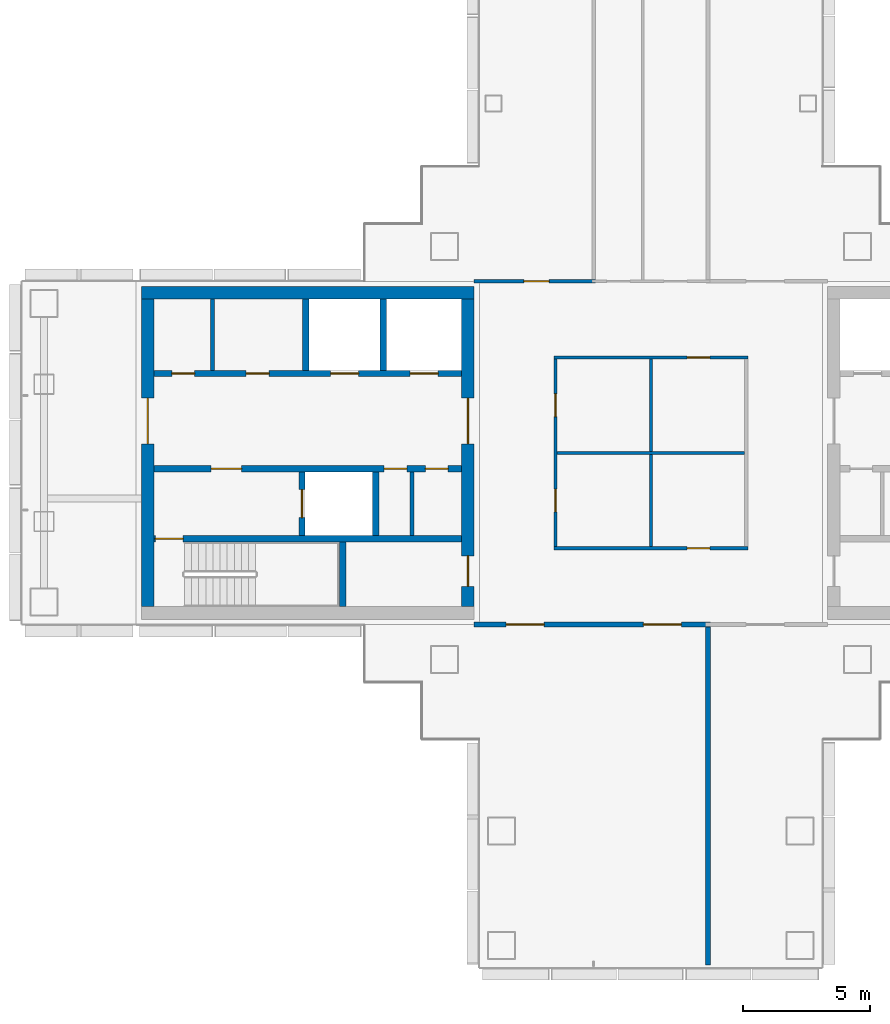
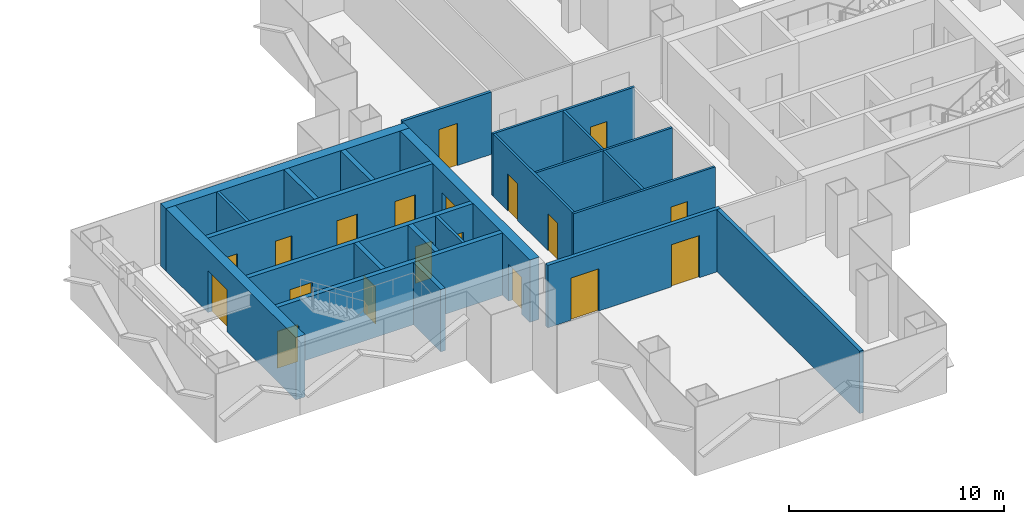
# One storey, part 11 of 16: 21 walls, 19 doors, 19 openings.
"""IFC4 building model written with IfcOpenShell, lengths in metres."""

import ifcopenshell
import ifcopenshell.guid

model = None  # the IFC model being written
_history = None  # IfcOwnerHistory: only IFC2X3 demands one
_inside = {}  # id of a spatial element -> (the spatial element, [elements in it])
_under = {}  # id of a project, library or spatial element -> (it, [spatial elements below it])
_declared = {}  # id of a project -> (the project, [libraries it declares])
_typed = {}  # id of a type object -> (the type object, [elements of that type])
_made_of = {}  # id of a material, layer set ... -> (it, [elements and type objects made of it])


def new_model(schema):
    """Start an empty IFC model of exactly this schema.

    Asked for "IFC4X3", IfcOpenShell would pick the latest addendum, in which some entities
    have other attributes; the version numbers below select the first issue.
    IFC2X3 requires an IfcOwnerHistory on every rooted entity: one is made here for all.
    """
    global model, _history
    if schema == "IFC4X3":
        model = ifcopenshell.file(schema_version=(4, 3, 0, 0))
    else:
        model = ifcopenshell.file(schema=schema)
    _inside.clear()
    _under.clear()
    _declared.clear()
    _typed.clear()
    _made_of.clear()
    _history = None
    if model.schema == "IFC2X3":
        org = make("IfcOrganization", Name="unknown")
        user = make(
            "IfcPersonAndOrganization",
            ThePerson=make("IfcPerson", FamilyName="unknown"),
            TheOrganization=org,
        )
        app = make(
            "IfcApplication",
            ApplicationDeveloper=org,
            Version="unknown",
            ApplicationFullName="unknown",
            ApplicationIdentifier="unknown",
        )
        _history = make(
            "IfcOwnerHistory",
            OwningUser=user,
            OwningApplication=app,
            ChangeAction="ADDED",
            CreationDate=0,
        )
    return model


def make(cls, **values):
    """One entity of the class cls with the attributes given. An attribute that is None is left unset."""
    return model.create_entity(
        cls, **{name: value for name, value in values.items() if value is not None}
    )


def rooted(cls, **values):
    """An entity with a GlobalId (a new one), such as an element, a storey or a relation."""
    return make(cls, GlobalId=ifcopenshell.guid.new(), OwnerHistory=_history, **values)


def si_unit(unit_type, name, prefix=None):
    """IfcSIUnit, for example si_unit("LENGTHUNIT", "METRE", prefix="MILLI")."""
    return make("IfcSIUnit", UnitType=unit_type, Prefix=prefix, Name=name)


def assignment(units):
    """IfcUnitAssignment: the units of a project."""
    return None if units is None else make("IfcUnitAssignment", Units=units)


def point(xyz):
    """IfcCartesianPoint."""
    return None if xyz is None else make("IfcCartesianPoint", Coordinates=xyz)


def direction(xyz):
    """IfcDirection."""
    return None if xyz is None else make("IfcDirection", DirectionRatios=xyz)


def frame(location, z_axis=None, x_axis=None):
    """IfcAxis2Placement3D, a coordinate frame: its origin and axes. An axis left out is left unset."""
    return make(
        "IfcAxis2Placement3D",
        Location=point(location),
        Axis=direction(z_axis),
        RefDirection=direction(x_axis),
    )


def frame_2d(location, x_axis=None):
    """IfcAxis2Placement2D, a coordinate frame in the plane: its origin and x axis."""
    return make(
        "IfcAxis2Placement2D", Location=point(location), RefDirection=direction(x_axis)
    )


def origin():
    """The frame at (0, 0, 0) with its axes left unset."""
    return frame((0.0, 0.0, 0.0))


def place(relative_to, where):
    """IfcLocalPlacement: puts the frame where relative to a parent placement (None: the world)."""
    return make(
        "IfcLocalPlacement", PlacementRelTo=relative_to, RelativePlacement=where
    )


def context(
    kind, dimensions, precision=None, world=None, true_north=None, identifier=None
):
    """IfcGeometricRepresentationContext, for example the 3D "Model" context."""
    return make(
        "IfcGeometricRepresentationContext",
        ContextIdentifier=identifier,
        ContextType=kind,
        CoordinateSpaceDimension=dimensions,
        Precision=precision,
        WorldCoordinateSystem=world,
        TrueNorth=true_north,
    )


def subcontext(parent, identifier, kind, view, scale=None):
    """IfcGeometricRepresentationSubContext, for example "Body" below "Model"."""
    return make(
        "IfcGeometricRepresentationSubContext",
        ContextIdentifier=identifier,
        ContextType=kind,
        ParentContext=parent,
        TargetScale=scale,
        TargetView=view,
    )


def project(units=None, contexts=None):
    """IfcProject with its units and contexts."""
    return rooted(
        "IfcProject",
        Name="project",
        RepresentationContexts=contexts,
        UnitsInContext=assignment(units),
    )


def spatial(cls, under=None, at=None, **own):
    """A site, building, storey or space (cls), placed at a placement, below another one or the project."""
    s = rooted(cls, ObjectPlacement=at, **own)
    if under is not None:
        _under.setdefault(under.id(), (under, []))[1].append(s)
    return s


def profile(cls, at=None, kind="AREA", **sizes):
    """A parametric profile (cls). Its sizes go by their IFC names, for example OverallWidth=200.0."""
    return make(cls, ProfileType=kind, Position=at, **sizes)


def rectangle(**sizes):
    """IfcRectangleProfileDef."""
    return profile("IfcRectangleProfileDef", **sizes)


def extrude(swept, where, along, depth):
    """IfcExtrudedAreaSolid: the profile swept, set in the frame where, extruded along a direction by depth."""
    return make(
        "IfcExtrudedAreaSolid",
        SweptArea=swept,
        Position=where,
        ExtrudedDirection=direction(along),
        Depth=depth,
    )


def shape(context_of_items, identifier, shape_type, items):
    """IfcShapeRepresentation: the items that make up one representation, for example the "Body"."""
    return make(
        "IfcShapeRepresentation",
        ContextOfItems=context_of_items,
        RepresentationIdentifier=identifier,
        RepresentationType=shape_type,
        Items=items,
    )


def material(Name=None, Category=None):
    """IfcMaterial."""
    return make("IfcMaterial", Name=Name, Category=Category)


def layer(
    of_material, thickness, ventilated=None, Name=None, Category=None, Priority=None
):
    """IfcMaterialLayer: one layer of a wall or slab, of a material (None: an air gap)."""
    return make(
        "IfcMaterialLayer",
        Material=of_material,
        LayerThickness=thickness,
        IsVentilated=ventilated,
        Name=Name,
        Category=Category,
        Priority=Priority,
    )


def layer_set(layers, Name=None):
    """IfcMaterialLayerSet."""
    return make("IfcMaterialLayerSet", MaterialLayers=layers, LayerSetName=Name)


def made_of(thing, what):
    """Note that an element or type object is made of a material, layer set ...; save() writes the relation."""
    if what is not None:
        _made_of.setdefault(what.id(), (what, []))[1].append(thing)
    return thing


def type_object(cls, material=None, **own):
    """A type object (cls), such as IfcWallType, which elements share."""
    return made_of(rooted(cls, **own), material)


def element(
    cls,
    number,
    at=None,
    inside=None,
    cuts=None,
    type_object=None,
    material=None,
    context=None,
    identifier="Body",
    shape_type=None,
    held_by="IfcProductDefinitionShape",
    body=None,
    shapes=None,
    **own,
):
    """One element of the class cls, such as IfcWall. Its Tag is "e" and its number.

    at: its placement. inside: the storey or other place that contains it. cuts: it is an
    opening in that element (IfcRelVoidsElement). A single representation is given by context,
    identifier, shape_type and body (its items); several are given by shapes. held_by: the class
    of the entity that holds the representations. save() writes the other relations.
    """
    e = rooted(cls, Tag="e%d" % number, ObjectPlacement=at, **own)
    if body is not None:
        shapes = [shape(context, identifier, shape_type, body)]
    if shapes is not None:
        e.Representation = make(held_by, Representations=shapes)
    if inside is not None:
        _inside.setdefault(inside.id(), (inside, []))[1].append(e)
    if cuts is not None:
        rooted(
            "IfcRelVoidsElement", RelatingBuildingElement=cuts, RelatedOpeningElement=e
        )
    if type_object is not None:
        _typed.setdefault(type_object.id(), (type_object, []))[1].append(e)
    return made_of(e, material)


def fill(opening, filler):
    """IfcRelFillsElement: the door or window that sits in an opening."""
    return rooted(
        "IfcRelFillsElement",
        RelatingOpeningElement=opening,
        RelatedBuildingElement=filler,
    )


def aggregate(whole, parts):
    """IfcRelAggregates: a whole, such as a stair, and the parts it consists of."""
    return rooted("IfcRelAggregates", RelatingObject=whole, RelatedObjects=parts)


def save(model, path):
    """Write the relations noted so far, then the file.

    IfcRelAggregates (storeys below a building ...), IfcRelContainedInSpatialStructure (elements
    in a storey), IfcRelDefinesByType, IfcRelAssociatesMaterial and IfcRelDeclares: one each for
    every whole, place, type object, material and project.
    """
    for whole, parts in _under.values():
        aggregate(whole, parts)
    for where, things in _inside.values():
        rooted(
            "IfcRelContainedInSpatialStructure",
            RelatedElements=things,
            RelatingStructure=where,
        )
    for kind, things in _typed.values():
        rooted("IfcRelDefinesByType", RelatedObjects=things, RelatingType=kind)
    for what, things in _made_of.values():
        rooted("IfcRelAssociatesMaterial", RelatedObjects=things, RelatingMaterial=what)
    for by, libraries in _declared.values():
        rooted("IfcRelDeclares", RelatingContext=by, RelatedDefinitions=libraries)
    model.write(path)


model = new_model("IFC4")

# Units and contexts
model_context = context("Model", 3, precision=1e-05, world=origin(), true_north=direction((0.0, 1.0)))
body_context = subcontext(model_context, "Body", "Model", "MODEL_VIEW")
ifc_project = project(units=[si_unit("LENGTHUNIT", "METRE"), si_unit("AREAUNIT", "SQUARE_METRE"), si_unit("VOLUMEUNIT", "CUBIC_METRE"), si_unit("PLANEANGLEUNIT", "RADIAN"), si_unit("MASSUNIT", "GRAM", prefix="KILO")], contexts=[model_context])

# Site, building, storey
site_placement = place(None, origin())
site = spatial("IfcSite", under=ifc_project, at=site_placement, CompositionType="ELEMENT")
building_placement = place(site_placement, origin())
building = spatial("IfcBuilding", under=site, at=building_placement, Name="Shamsa Quay Exchange Towers", CompositionType="ELEMENT")
storey_placement = place(building_placement, frame((0.0, 0.0, 146.699951171875)))
storey = spatial("IfcBuildingStorey", under=building, at=storey_placement, Name="L34", CompositionType="ELEMENT", Elevation=146.699951171875)

# Wall, openings, doors
ifc_material_1 = material(Name="Double-leaf gypsum board partition with acoustic insulation")
ifc_layer_1 = layer(ifc_material_1, 0.199951171875)
ifc_layer_set_1 = layer_set([ifc_layer_1], Name="Acoustic partition 200 mm EI 60")
wall_type_1 = type_object("IfcWallType", Name="Acoustic partition 200 mm EI 60", PredefinedType="PARTITIONING", material=ifc_layer_set_1)
wall_1_placement = place(storey_placement, frame((26.800048828125, -6.75, 0.0)))
wall_1 = element("IfcWall", 1, at=wall_1_placement, inside=storey, type_object=wall_type_1, Name="Partition T2-R16-W09", PredefinedType="PARTITIONING", context=body_context, shape_type="SweptSolid", body=[
    extrude(rectangle(XDim=9.300048828125, YDim=0.199951171875, at=frame_2d((4.64990234375, 0.0))), origin(), (0.0, 0.0, 1.0), 3.550048828125),
])
opening_1_placement = place(wall_1_placement, frame((6.64990234375, 0.0, 0.0)))
opening_1 = element("IfcOpeningElement", 2, at=opening_1_placement, cuts=wall_1, Name="Opening T2-R16-D03", PredefinedType="OPENING", context=body_context, shape_type="SweptSolid", body=[
    extrude(rectangle(XDim=1.5, YDim=2.39990234375, at=frame_2d((0.75, 1.199951171875))), frame((0.0, 0.10986328125, 0.0), z_axis=(0.0, -1.0, 0.0), x_axis=(1.0, 0.0, 0.0)), (0.0, 0.0, 1.0), 0.219970703125),
])
opening_2_placement = place(wall_1_placement, frame((1.25, 0.0, 0.0)))
opening_2 = element("IfcOpeningElement", 3, at=opening_2_placement, cuts=wall_1, Name="Opening T2-R16-D05", PredefinedType="OPENING", context=body_context, shape_type="SweptSolid", body=[
    extrude(rectangle(XDim=1.5, YDim=2.39990234375, at=frame_2d((0.75, 1.199951171875))), frame((0.0, 0.10986328125, 0.0), z_axis=(0.0, -1.0, 0.0), x_axis=(1.0, 0.0, 0.0)), (0.0, 0.0, 1.0), 0.219970703125),
])
ifc_material_2 = material(Name="Timber door leaf in a metal frame", Category="wood")
door_type_1 = type_object("IfcDoorType", Name="Door 1500x2400 FD30S pair", OperationType="NOTDEFINED", PredefinedType="DOOR", material=ifc_material_2)
door_1_placement = place(opening_1_placement, origin())
door_1 = element("IfcDoor", 4, at=door_1_placement, inside=storey, type_object=door_type_1, Name="Door T2-R16-D03", OperationType="DOUBLE_DOOR_SINGLE_SWING", OverallHeight=2.39990234375, OverallWidth=1.5, PredefinedType="DOOR", context=body_context, shape_type="SweptSolid", body=[
    extrude(rectangle(XDim=1.5, YDim=2.39990234375, at=frame_2d((0.75, 1.199951171875))), frame((0.0, 0.02490234375, 0.0), z_axis=(0.0, -1.0, 0.0), x_axis=(1.0, 0.0, 0.0)), (0.0, 0.0, 1.0), 0.050048828125),
])
fill(opening_1, door_1)
door_2_placement = place(opening_2_placement, origin())
door_2 = element("IfcDoor", 5, at=door_2_placement, inside=storey, type_object=door_type_1, Name="Door T2-R16-D05", OperationType="DOUBLE_DOOR_SINGLE_SWING", OverallHeight=2.39990234375, OverallWidth=1.5, PredefinedType="DOOR", context=body_context, shape_type="SweptSolid", body=[
    extrude(rectangle(XDim=1.5, YDim=2.39990234375, at=frame_2d((0.75, 1.199951171875))), frame((0.0, 0.02490234375, 0.0), z_axis=(0.0, -1.0, 0.0), x_axis=(1.0, 0.0, 0.0)), (0.0, 0.0, 1.0), 0.050048828125),
])
fill(opening_2, door_2)

# Walls
wall_2_placement = place(storey_placement, frame((36.0, -6.85009765625, 0.0), z_axis=(0.0, 0.0, 1.0), x_axis=(0.0, -1.0, 0.0)))
element("IfcWall", 6, at=wall_2_placement, inside=storey, type_object=wall_type_1, Name="Partition T2-R16-W15", PredefinedType="PARTITIONING", context=body_context, shape_type="SweptSolid", body=[
    extrude(rectangle(XDim=13.304931640625, YDim=0.199951171875, at=frame_2d((6.65234375, 0.0))), origin(), (0.0, 0.0, 1.0), 3.550048828125),
])
ifc_material_3 = material(Name="Concrete C60/75", Category="concrete")
ifc_layer_2 = layer(ifc_material_3, 0.5)
ifc_layer_set_2 = layer_set([ifc_layer_2], Name="CORE WALL 500 C60/75")
wall_type_2 = type_object("IfcWallType", Name="CORE WALL 500 C60/75", PredefinedType="SHEAR", material=ifc_layer_set_2)
wall_3_placement = place(storey_placement, frame((13.699951171875, 6.300048828125, 0.0)))
element("IfcWall", 7, at=wall_3_placement, inside=storey, type_object=wall_type_2, Name="Core wall T2A-R16-PN", PredefinedType="SHEAR", context=body_context, shape_type="SweptSolid", body=[
    extrude(rectangle(XDim=13.10009765625, YDim=0.5, at=frame_2d((6.550048828125, 0.0))), origin(), (0.0, 0.0, 1.0), 3.550048828125),
])

# Wall, opening, door
wall_4_placement = place(storey_placement, frame((13.949951171875, 6.050048828125, 0.0), z_axis=(0.0, 0.0, 1.0), x_axis=(0.0, -1.0, 0.0)))
wall_4 = element("IfcWall", 8, at=wall_4_placement, inside=storey, type_object=wall_type_2, Name="Core wall T2A-R16-PF", PredefinedType="SHEAR", context=body_context, shape_type="SweptSolid", body=[
    extrude(rectangle(XDim=12.10009765625, YDim=0.5, at=frame_2d((6.050048828125, 0.0))), origin(), (0.0, 0.0, 1.0), 3.550048828125),
])
opening_3_placement = place(wall_4_placement, frame((3.89990234375, 0.0, 0.0)))
opening_3 = element("IfcOpeningElement", 9, at=opening_3_placement, cuts=wall_4, Name="Opening T2A-R16-LBD01", PredefinedType="OPENING", context=body_context, shape_type="SweptSolid", body=[
    extrude(rectangle(XDim=1.800048828125, YDim=2.39990234375, at=frame_2d((0.89990234375, 1.199951171875))), frame((0.0, 0.260009765625, 0.0), z_axis=(0.0, -1.0, 0.0), x_axis=(1.0, 0.0, 0.0)), (0.0, 0.0, 1.0), 0.52001953125),
])
ifc_material_4 = material(Name="Steel, fire rated", Category="steel")
door_type_2 = type_object("IfcDoorType", Name="LIFT LOBBY DOOR PAIR 1800", OperationType="DOUBLE_DOOR_SINGLE_SWING", PredefinedType="DOOR", material=ifc_material_4)
door_3_placement = place(opening_3_placement, origin())
door_3 = element("IfcDoor", 10, at=door_3_placement, inside=storey, type_object=door_type_2, Name="T2A-R16-LBD01", OperationType="DOUBLE_DOOR_SINGLE_SWING", OverallHeight=2.39990234375, OverallWidth=1.800048828125, PredefinedType="DOOR", context=body_context, shape_type="SweptSolid", body=[
    extrude(rectangle(XDim=1.800048828125, YDim=2.39990234375, at=frame_2d((0.89990234375, 1.199951171875))), frame((0.0, 0.02490234375, 0.0), z_axis=(0.0, -1.0, 0.0), x_axis=(1.0, 0.0, 0.0)), (0.0, 0.0, 1.0), 0.050048828125),
])
fill(opening_3, door_3)

# Wall, openings, doors
wall_5_placement = place(storey_placement, frame((26.550048828125, 6.050048828125, 0.0), z_axis=(0.0, 0.0, 1.0), x_axis=(0.0, -1.0, 0.0)))
wall_5 = element("IfcWall", 11, at=wall_5_placement, inside=storey, type_object=wall_type_2, Name="Core wall T2A-R16-PB", PredefinedType="SHEAR", context=body_context, shape_type="SweptSolid", body=[
    extrude(rectangle(XDim=12.10009765625, YDim=0.5, at=frame_2d((6.050048828125, 0.0))), origin(), (0.0, 0.0, 1.0), 3.550048828125),
])
opening_4_placement = place(wall_5_placement, frame((10.10009765625, 0.0, 0.0)))
opening_4 = element("IfcOpeningElement", 12, at=opening_4_placement, cuts=wall_5, Name="Opening T2A-R16-RD02", PredefinedType="OPENING", context=body_context, shape_type="SweptSolid", body=[
    extrude(rectangle(XDim=1.199951171875, YDim=2.10009765625, at=frame_2d((0.60009765625, 1.050048828125))), frame((0.0, 0.260009765625, 0.0), z_axis=(0.0, -1.0, 0.0), x_axis=(1.0, 0.0, 0.0)), (0.0, 0.0, 1.0), 0.52001953125),
])
opening_5_placement = place(wall_5_placement, frame((3.89990234375, 0.0, 0.0)))
opening_5 = element("IfcOpeningElement", 13, at=opening_5_placement, cuts=wall_5, Name="Opening T2A-R16-LBD03", PredefinedType="OPENING", context=body_context, shape_type="SweptSolid", body=[
    extrude(rectangle(XDim=1.800048828125, YDim=2.39990234375, at=frame_2d((0.89990234375, 1.199951171875))), frame((0.0, 0.260009765625, 0.0), z_axis=(0.0, -1.0, 0.0), x_axis=(1.0, 0.0, 0.0)), (0.0, 0.0, 1.0), 0.52001953125),
])
door_4_placement = place(opening_5_placement, origin())
door_4 = element("IfcDoor", 14, at=door_4_placement, inside=storey, type_object=door_type_2, Name="T2A-R16-LBD03", OperationType="DOUBLE_DOOR_SINGLE_SWING", OverallHeight=2.39990234375, OverallWidth=1.800048828125, PredefinedType="DOOR", context=body_context, shape_type="SweptSolid", body=[
    extrude(rectangle(XDim=1.800048828125, YDim=2.39990234375, at=frame_2d((0.89990234375, 1.199951171875))), frame((0.0, 0.02490234375, 0.0), z_axis=(0.0, -1.0, 0.0), x_axis=(1.0, 0.0, 0.0)), (0.0, 0.0, 1.0), 0.050048828125),
])
fill(opening_5, door_4)
door_type_3 = type_object("IfcDoorType", Name="RISER ACCESS DOOR 1200", OperationType="SINGLE_SWING_LEFT", PredefinedType="DOOR", material=ifc_material_4)
door_5_placement = place(opening_4_placement, origin())
door_5 = element("IfcDoor", 15, at=door_5_placement, inside=storey, type_object=door_type_3, Name="T2A-R16-RD02", OperationType="SINGLE_SWING_RIGHT", OverallHeight=2.10009765625, OverallWidth=1.199951171875, PredefinedType="DOOR", context=body_context, shape_type="SweptSolid", body=[
    extrude(rectangle(XDim=1.199951171875, YDim=2.10009765625, at=frame_2d((0.60009765625, 1.050048828125))), frame((0.0, 0.02490234375, 0.0), z_axis=(0.0, -1.0, 0.0), x_axis=(1.0, 0.0, 0.0)), (0.0, 0.0, 1.0), 0.050048828125),
])
fill(opening_4, door_5)

# Walls
ifc_material_5 = material(Name="Gypsum board on steel studs, EI 60", Category="steel")
ifc_layer_3 = layer(ifc_material_5, 0.14990234375)
ifc_layer_set_3 = layer_set([ifc_layer_3], Name="FIRE PARTITION 150")
wall_type_3 = type_object("IfcWallType", Name="FIRE PARTITION 150", PredefinedType="PARTITIONING", material=ifc_layer_set_3)
wall_6_placement = place(storey_placement, frame((24.35009765625, -3.25, 0.0), z_axis=(0.0, 0.0, 1.0), x_axis=(0.0, 1.0, 0.0)))
element("IfcWall", 16, at=wall_6_placement, inside=storey, type_object=wall_type_3, Name="Partition T2A-R16-EC0", PredefinedType="PARTITIONING", context=body_context, shape_type="SweptSolid", body=[
    extrude(rectangle(XDim=2.5, YDim=0.14990234375, at=frame_2d((1.25, 0.0))), origin(), (0.0, 0.0, 1.0), 3.550048828125),
])
wall_7_placement = place(storey_placement, frame((16.5, 3.25, 0.0), z_axis=(0.0, 0.0, 1.0), x_axis=(0.0, 1.0, 0.0)))
element("IfcWall", 17, at=wall_7_placement, inside=storey, type_object=wall_type_3, Name="Partition T2A-R16-FC0", PredefinedType="PARTITIONING", context=body_context, shape_type="SweptSolid", body=[
    extrude(rectangle(XDim=2.800048828125, YDim=0.14990234375, at=frame_2d((1.39990234375, 0.0))), origin(), (0.0, 0.0, 1.0), 3.550048828125),
])

# Wall, openings, doors
ifc_material_6 = material(Name="Laminated fire-resisting glass in a metal frame", Category="glass")
ifc_layer_4 = layer(ifc_material_6, 0.125)
ifc_layer_set_4 = layer_set([ifc_layer_4], Name="Glazed partition 125 mm EI 60")
wall_type_4 = type_object("IfcWallType", Name="Glazed partition 125 mm EI 60", PredefinedType="PARTITIONING", material=ifc_layer_set_4)
wall_8_placement = place(storey_placement, frame((30.0, 3.6875, 0.0), z_axis=(0.0, 0.0, 1.0), x_axis=(0.0, -1.0, 0.0)))
wall_8 = element("IfcWall", 18, at=wall_8_placement, inside=storey, type_object=wall_type_4, Name="Partition T2-R16-W01", PredefinedType="PARTITIONING", context=body_context, shape_type="SweptSolid", body=[
    extrude(rectangle(XDim=7.375, YDim=0.125, at=frame_2d((3.6875, 0.0))), origin(), (0.0, 0.0, 1.0), 3.550048828125),
])
opening_6_placement = place(wall_8_placement, frame((5.112548828125, 0.0, 0.0)))
opening_6 = element("IfcOpeningElement", 19, at=opening_6_placement, cuts=wall_8, Name="Opening T2-R16-D09", PredefinedType="OPENING", context=body_context, shape_type="SweptSolid", body=[
    extrude(rectangle(XDim=0.89990234375, YDim=2.10009765625, at=frame_2d((0.449951171875, 1.050048828125))), frame((0.0, 0.072509765625, 0.0), z_axis=(0.0, -1.0, 0.0), x_axis=(1.0, 0.0, 0.0)), (0.0, 0.0, 1.0), 0.14501953125),
])
opening_7_placement = place(wall_8_placement, frame((1.362548828125, 0.0, 0.0)))
opening_7 = element("IfcOpeningElement", 20, at=opening_7_placement, cuts=wall_8, Name="Opening T2-R16-D10", PredefinedType="OPENING", context=body_context, shape_type="SweptSolid", body=[
    extrude(rectangle(XDim=0.89990234375, YDim=2.10009765625, at=frame_2d((0.449951171875, 1.050048828125))), frame((0.0, 0.072509765625, 0.0), z_axis=(0.0, -1.0, 0.0), x_axis=(1.0, 0.0, 0.0)), (0.0, 0.0, 1.0), 0.14501953125),
])
door_type_4 = type_object("IfcDoorType", Name="Door 900x2100 FD30S", OperationType="NOTDEFINED", PredefinedType="DOOR", material=ifc_material_2)
door_6_placement = place(opening_6_placement, origin())
door_6 = element("IfcDoor", 21, at=door_6_placement, inside=storey, type_object=door_type_4, Name="Door T2-R16-D09", OperationType="SINGLE_SWING_LEFT", OverallHeight=2.10009765625, OverallWidth=0.89990234375, PredefinedType="DOOR", context=body_context, shape_type="SweptSolid", body=[
    extrude(rectangle(XDim=0.89990234375, YDim=2.10009765625, at=frame_2d((0.449951171875, 1.050048828125))), frame((0.0, 0.02490234375, 0.0), z_axis=(0.0, -1.0, 0.0), x_axis=(1.0, 0.0, 0.0)), (0.0, 0.0, 1.0), 0.050048828125),
])
fill(opening_6, door_6)
door_7_placement = place(opening_7_placement, origin())
door_7 = element("IfcDoor", 22, at=door_7_placement, inside=storey, type_object=door_type_4, Name="Door T2-R16-D10", OperationType="SINGLE_SWING_RIGHT", OverallHeight=2.10009765625, OverallWidth=0.89990234375, PredefinedType="DOOR", context=body_context, shape_type="SweptSolid", body=[
    extrude(rectangle(XDim=0.89990234375, YDim=2.10009765625, at=frame_2d((0.449951171875, 1.050048828125))), frame((0.0, 0.02490234375, 0.0), z_axis=(0.0, -1.0, 0.0), x_axis=(1.0, 0.0, 0.0)), (0.0, 0.0, 1.0), 0.050048828125),
])
fill(opening_7, door_7)

# Wall, opening, door
wall_9_placement = place(storey_placement, frame((37.5625, 3.75, 0.0), z_axis=(0.0, 0.0, 1.0), x_axis=(-1.0, 0.0, 0.0)))
wall_9 = element("IfcWall", 23, at=wall_9_placement, inside=storey, type_object=wall_type_4, Name="Partition T2-R16-W02", PredefinedType="PARTITIONING", context=body_context, shape_type="SweptSolid", body=[
    extrude(rectangle(XDim=7.625, YDim=0.125, at=frame_2d((3.8125, 0.0))), origin(), (0.0, 0.0, 1.0), 3.550048828125),
])
opening_8_placement = place(wall_9_placement, frame((1.487548828125, 0.0, 0.0)))
opening_8 = element("IfcOpeningElement", 24, at=opening_8_placement, cuts=wall_9, Name="Opening T2-R16-D11", PredefinedType="OPENING", context=body_context, shape_type="SweptSolid", body=[
    extrude(rectangle(XDim=0.89990234375, YDim=2.10009765625, at=frame_2d((0.449951171875, 1.050048828125))), frame((0.0, 0.072509765625, 0.0), z_axis=(0.0, -1.0, 0.0), x_axis=(1.0, 0.0, 0.0)), (0.0, 0.0, 1.0), 0.14501953125),
])
door_8_placement = place(opening_8_placement, origin())
door_8 = element("IfcDoor", 25, at=door_8_placement, inside=storey, type_object=door_type_4, Name="Door T2-R16-D11", OperationType="SINGLE_SWING_RIGHT", OverallHeight=2.10009765625, OverallWidth=0.89990234375, PredefinedType="DOOR", context=body_context, shape_type="SweptSolid", body=[
    extrude(rectangle(XDim=0.89990234375, YDim=2.10009765625, at=frame_2d((0.449951171875, 1.050048828125))), frame((0.0, 0.02490234375, 0.0), z_axis=(0.0, -1.0, 0.0), x_axis=(1.0, 0.0, 0.0)), (0.0, 0.0, 1.0), 0.050048828125),
])
fill(opening_8, door_8)

wall_10_placement = place(storey_placement, frame((29.9375, -3.75, 0.0)))
wall_10 = element("IfcWall", 26, at=wall_10_placement, inside=storey, type_object=wall_type_4, Name="Partition T2-R16-W03", PredefinedType="PARTITIONING", context=body_context, shape_type="SweptSolid", body=[
    extrude(rectangle(XDim=7.625, YDim=0.125, at=frame_2d((3.8125, 0.0))), origin(), (0.0, 0.0, 1.0), 3.550048828125),
])
opening_9_placement = place(wall_10_placement, frame((5.237548828125, 0.0, 0.0)))
opening_9 = element("IfcOpeningElement", 27, at=opening_9_placement, cuts=wall_10, Name="Opening T2-R16-D02", PredefinedType="OPENING", context=body_context, shape_type="SweptSolid", body=[
    extrude(rectangle(XDim=0.89990234375, YDim=2.10009765625, at=frame_2d((0.449951171875, 1.050048828125))), frame((0.0, 0.072509765625, 0.0), z_axis=(0.0, -1.0, 0.0), x_axis=(1.0, 0.0, 0.0)), (0.0, 0.0, 1.0), 0.14501953125),
])
door_9_placement = place(opening_9_placement, origin())
door_9 = element("IfcDoor", 28, at=door_9_placement, inside=storey, type_object=door_type_4, Name="Door T2-R16-D02", OperationType="SINGLE_SWING_RIGHT", OverallHeight=2.10009765625, OverallWidth=0.89990234375, PredefinedType="DOOR", context=body_context, shape_type="SweptSolid", body=[
    extrude(rectangle(XDim=0.89990234375, YDim=2.10009765625, at=frame_2d((0.449951171875, 1.050048828125))), frame((0.0, 0.02490234375, 0.0), z_axis=(0.0, -1.0, 0.0), x_axis=(1.0, 0.0, 0.0)), (0.0, 0.0, 1.0), 0.050048828125),
])
fill(opening_9, door_9)

# Walls
wall_11_placement = place(storey_placement, frame((30.0625, 0.0, 0.0)))
element("IfcWall", 29, at=wall_11_placement, inside=storey, type_object=wall_type_4, Name="Partition T2-R16-W10", PredefinedType="PARTITIONING", context=body_context, shape_type="SweptSolid", body=[
    extrude(rectangle(XDim=7.375, YDim=0.125, at=frame_2d((3.6875, 0.0))), origin(), (0.0, 0.0, 1.0), 3.550048828125),
])
wall_12_placement = place(storey_placement, frame((33.75, -3.6875, 0.0), z_axis=(0.0, 0.0, 1.0), x_axis=(0.0, 1.0, 0.0)))
element("IfcWall", 30, at=wall_12_placement, inside=storey, type_object=wall_type_4, Name="Partition T2-R16-W11", PredefinedType="PARTITIONING", context=body_context, shape_type="SweptSolid", body=[
    extrude(rectangle(XDim=7.375, YDim=0.125, at=frame_2d((3.6875, 0.0))), origin(), (0.0, 0.0, 1.0), 3.550048828125),
])

# Wall, opening, door
ifc_material_7 = material(Name="Gypsum board partition on metal studs")
ifc_layer_5 = layer(ifc_material_7, 0.14990234375)
ifc_layer_set_5 = layer_set([ifc_layer_5], Name="Partition 150 mm EI 60")
wall_type_5 = type_object("IfcWallType", Name="Partition 150 mm EI 60", PredefinedType="PARTITIONING", material=ifc_layer_set_5)
wall_13_placement = place(storey_placement, frame((26.800048828125, 6.75, 0.0)))
wall_13 = element("IfcWall", 31, at=wall_13_placement, inside=storey, type_object=wall_type_5, Name="Partition T2-R16-W06", PredefinedType="PARTITIONING", context=body_context, shape_type="SweptSolid", body=[
    extrude(rectangle(XDim=4.77490234375, YDim=0.14990234375, at=frame_2d((2.387451171875, 0.0))), origin(), (0.0, 0.0, 1.0), 3.550048828125),
])
opening_10_placement = place(wall_13_placement, frame((1.949951171875, 0.0, 0.0)))
opening_10 = element("IfcOpeningElement", 32, at=opening_10_placement, cuts=wall_13, Name="Opening T2-R16-D08", PredefinedType="OPENING", context=body_context, shape_type="SweptSolid", body=[
    extrude(rectangle(XDim=1.0, YDim=2.39990234375, at=frame_2d((0.5, 1.199951171875))), frame((0.0, 0.0849609375, 0.0), z_axis=(0.0, -1.0, 0.0), x_axis=(1.0, 0.0, 0.0)), (0.0, 0.0, 1.0), 0.169921875),
])
door_type_5 = type_object("IfcDoorType", Name="Door 1000x2400 FD30S", OperationType="NOTDEFINED", PredefinedType="DOOR", material=ifc_material_2)
door_10_placement = place(opening_10_placement, origin())
door_10 = element("IfcDoor", 33, at=door_10_placement, inside=storey, type_object=door_type_5, Name="Door T2-R16-D08", OperationType="SINGLE_SWING_RIGHT", OverallHeight=2.39990234375, OverallWidth=1.0, PredefinedType="DOOR", context=body_context, shape_type="SweptSolid", body=[
    extrude(rectangle(XDim=1.0, YDim=2.39990234375, at=frame_2d((0.5, 1.199951171875))), frame((0.0, 0.02490234375, 0.0), z_axis=(0.0, -1.0, 0.0), x_axis=(1.0, 0.0, 0.0)), (0.0, 0.0, 1.0), 0.050048828125),
])
fill(opening_10, door_10)

ifc_material_8 = material(Name="Concrete C50/60", Category="concrete")
ifc_layer_6 = layer(ifc_material_8, 0.25)
ifc_layer_set_6 = layer_set([ifc_layer_6], Name="SHAFT WALL 250 C50/60")
wall_type_6 = type_object("IfcWallType", Name="SHAFT WALL 250 C50/60", PredefinedType="SHEAR", material=ifc_layer_set_6)
wall_14_placement = place(storey_placement, frame((26.300048828125, -3.375, 0.0), z_axis=(0.0, 0.0, 1.0), x_axis=(-1.0, 0.0, 0.0)))
wall_14 = element("IfcWall", 34, at=wall_14_placement, inside=storey, type_object=wall_type_6, Name="Shaft wall T2A-R16-STL", PredefinedType="SHEAR", context=body_context, shape_type="SweptSolid", body=[
    extrude(rectangle(XDim=12.10009765625, YDim=0.25, at=frame_2d((6.050048828125, 0.0))), origin(), (0.0, 0.0, 1.0), 3.550048828125),
])
opening_11_placement = place(wall_14_placement, frame((10.949951171875, 0.0, 0.0)))
opening_11 = element("IfcOpeningElement", 35, at=opening_11_placement, cuts=wall_14, Name="Opening T2A-R16-SD04", PredefinedType="OPENING", context=body_context, shape_type="SweptSolid", body=[
    extrude(rectangle(XDim=1.10009765625, YDim=2.10009765625, at=frame_2d((0.550048828125, 1.050048828125))), frame((0.0, 0.135009765625, 0.0), z_axis=(0.0, -1.0, 0.0), x_axis=(1.0, 0.0, 0.0)), (0.0, 0.0, 1.0), 0.27001953125),
])
door_type_6 = type_object("IfcDoorType", Name="STAIR DOOR 1100", OperationType="SINGLE_SWING_LEFT", PredefinedType="DOOR", material=ifc_material_4)
door_11_placement = place(opening_11_placement, origin())
door_11 = element("IfcDoor", 36, at=door_11_placement, inside=storey, type_object=door_type_6, Name="T2A-R16-SD04", OperationType="SINGLE_SWING_RIGHT", OverallHeight=2.10009765625, OverallWidth=1.10009765625, PredefinedType="DOOR", context=body_context, shape_type="SweptSolid", body=[
    extrude(rectangle(XDim=1.10009765625, YDim=2.10009765625, at=frame_2d((0.550048828125, 1.050048828125))), frame((0.0, 0.02490234375, 0.0), z_axis=(0.0, -1.0, 0.0), x_axis=(1.0, 0.0, 0.0)), (0.0, 0.0, 1.0), 0.050048828125),
])
fill(opening_11, door_11)

# Wall
wall_15_placement = place(storey_placement, frame((21.625, -6.050048828125, 0.0), z_axis=(0.0, 0.0, 1.0), x_axis=(0.0, 1.0, 0.0)))
element("IfcWall", 37, at=wall_15_placement, inside=storey, type_object=wall_type_6, Name="Shaft wall T2A-R16-STF", PredefinedType="SHEAR", context=body_context, shape_type="SweptSolid", body=[
    extrude(rectangle(XDim=2.550048828125, YDim=0.25, at=frame_2d((1.27490234375, 0.0))), origin(), (0.0, 0.0, 1.0), 3.550048828125),
])

# Wall, openings, doors
wall_16_placement = place(storey_placement, frame((26.300048828125, -0.625, 0.0), z_axis=(0.0, 0.0, 1.0), x_axis=(-1.0, 0.0, 0.0)))
wall_16 = element("IfcWall", 38, at=wall_16_placement, inside=storey, type_object=wall_type_6, Name="Shaft wall T2A-R16-B", PredefinedType="SHEAR", context=body_context, shape_type="SweptSolid", body=[
    extrude(rectangle(XDim=12.10009765625, YDim=0.25, at=frame_2d((6.050048828125, 0.0))), origin(), (0.0, 0.0, 1.0), 3.550048828125),
])
opening_12_placement = place(wall_16_placement, frame((8.64990234375, 0.0, 0.0)))
opening_12 = element("IfcOpeningElement", 39, at=opening_12_placement, cuts=wall_16, Name="Opening T2A-R16-FD05", PredefinedType="OPENING", context=body_context, shape_type="SweptSolid", body=[
    extrude(rectangle(XDim=1.199951171875, YDim=2.10009765625, at=frame_2d((0.60009765625, 1.050048828125))), frame((0.0, 0.135009765625, 0.0), z_axis=(0.0, -1.0, 0.0), x_axis=(1.0, 0.0, 0.0)), (0.0, 0.0, 1.0), 0.27001953125),
])
opening_13_placement = place(wall_16_placement, frame((2.14990234375, 0.0, 0.0)))
opening_13 = element("IfcOpeningElement", 40, at=opening_13_placement, cuts=wall_16, Name="Opening T2A-R16-SV06", PredefinedType="OPENING", context=body_context, shape_type="SweptSolid", body=[
    extrude(rectangle(XDim=0.89990234375, YDim=2.10009765625, at=frame_2d((0.449951171875, 1.050048828125))), frame((0.0, 0.135009765625, 0.0), z_axis=(0.0, -1.0, 0.0), x_axis=(1.0, 0.0, 0.0)), (0.0, 0.0, 1.0), 0.27001953125),
])
opening_14_placement = place(wall_16_placement, frame((0.52490234375, 0.0, 0.0)))
opening_14 = element("IfcOpeningElement", 41, at=opening_14_placement, cuts=wall_16, Name="Opening T2A-R16-SV07", PredefinedType="OPENING", context=body_context, shape_type="SweptSolid", body=[
    extrude(rectangle(XDim=0.89990234375, YDim=2.10009765625, at=frame_2d((0.449951171875, 1.050048828125))), frame((0.0, 0.135009765625, 0.0), z_axis=(0.0, -1.0, 0.0), x_axis=(1.0, 0.0, 0.0)), (0.0, 0.0, 1.0), 0.27001953125),
])
door_type_7 = type_object("IfcDoorType", Name="FIRE SERVICE LOBBY DOOR 1200", OperationType="SINGLE_SWING_LEFT", PredefinedType="DOOR", material=ifc_material_4)
door_12_placement = place(opening_12_placement, origin())
door_12 = element("IfcDoor", 42, at=door_12_placement, inside=storey, type_object=door_type_7, Name="T2A-R16-FD05", OperationType="SINGLE_SWING_RIGHT", OverallHeight=2.10009765625, OverallWidth=1.199951171875, PredefinedType="DOOR", context=body_context, shape_type="SweptSolid", body=[
    extrude(rectangle(XDim=1.199951171875, YDim=2.10009765625, at=frame_2d((0.60009765625, 1.050048828125))), frame((0.0, 0.02490234375, 0.0), z_axis=(0.0, -1.0, 0.0), x_axis=(1.0, 0.0, 0.0)), (0.0, 0.0, 1.0), 0.050048828125),
])
fill(opening_12, door_12)
door_type_8 = type_object("IfcDoorType", Name="SERVICE ROOM DOOR 900", OperationType="SINGLE_SWING_LEFT", PredefinedType="DOOR", material=ifc_material_4)
door_13_placement = place(opening_13_placement, origin())
door_13 = element("IfcDoor", 43, at=door_13_placement, inside=storey, type_object=door_type_8, Name="T2A-R16-SV06", OperationType="SINGLE_SWING_LEFT", OverallHeight=2.10009765625, OverallWidth=0.89990234375, PredefinedType="DOOR", context=body_context, shape_type="SweptSolid", body=[
    extrude(rectangle(XDim=0.89990234375, YDim=2.10009765625, at=frame_2d((0.449951171875, 1.050048828125))), frame((0.0, 0.02490234375, 0.0), z_axis=(0.0, -1.0, 0.0), x_axis=(1.0, 0.0, 0.0)), (0.0, 0.0, 1.0), 0.050048828125),
])
fill(opening_13, door_13)
door_14_placement = place(opening_14_placement, origin())
door_14 = element("IfcDoor", 44, at=door_14_placement, inside=storey, type_object=door_type_8, Name="T2A-R16-SV07", OperationType="SINGLE_SWING_LEFT", OverallHeight=2.10009765625, OverallWidth=0.89990234375, PredefinedType="DOOR", context=body_context, shape_type="SweptSolid", body=[
    extrude(rectangle(XDim=0.89990234375, YDim=2.10009765625, at=frame_2d((0.449951171875, 1.050048828125))), frame((0.0, 0.02490234375, 0.0), z_axis=(0.0, -1.0, 0.0), x_axis=(1.0, 0.0, 0.0)), (0.0, 0.0, 1.0), 0.050048828125),
])
fill(opening_14, door_14)

# Wall, opening, door
wall_17_placement = place(storey_placement, frame((20.02490234375, -3.25, 0.0), z_axis=(0.0, 0.0, 1.0), x_axis=(0.0, 1.0, 0.0)))
wall_17 = element("IfcWall", 45, at=wall_17_placement, inside=storey, type_object=wall_type_6, Name="Shaft wall T2A-R16-FFF", PredefinedType="SHEAR", context=body_context, shape_type="SweptSolid", body=[
    extrude(rectangle(XDim=2.5, YDim=0.25, at=frame_2d((1.25, 0.0))), origin(), (0.0, 0.0, 1.0), 3.550048828125),
])
opening_15_placement = place(wall_17_placement, frame((0.699951171875, 0.0, 0.0)))
opening_15 = element("IfcOpeningElement", 46, at=opening_15_placement, cuts=wall_17, Name="Opening T2A-R16-LDF08", PredefinedType="OPENING", context=body_context, shape_type="SweptSolid", body=[
    extrude(rectangle(XDim=1.10009765625, YDim=2.10009765625, at=frame_2d((0.550048828125, 1.050048828125))), frame((0.0, 0.135009765625, 0.0), z_axis=(0.0, -1.0, 0.0), x_axis=(1.0, 0.0, 0.0)), (0.0, 0.0, 1.0), 0.27001953125),
])
door_type_9 = type_object("IfcDoorType", Name="FIRE SERVICE LANDING DOOR 1100", OperationType="SLIDING_TO_LEFT", PredefinedType="DOOR", material=ifc_material_4)
door_15_placement = place(opening_15_placement, origin())
door_15 = element("IfcDoor", 47, at=door_15_placement, inside=storey, type_object=door_type_9, Name="T2A-R16-LDF08", OperationType="SLIDING_TO_LEFT", OverallHeight=2.10009765625, OverallWidth=1.10009765625, PredefinedType="DOOR", context=body_context, shape_type="SweptSolid", body=[
    extrude(rectangle(XDim=1.10009765625, YDim=2.10009765625, at=frame_2d((0.550048828125, 1.050048828125))), frame((0.0, 0.02490234375, 0.0), z_axis=(0.0, -1.0, 0.0), x_axis=(1.0, 0.0, 0.0)), (0.0, 0.0, 1.0), 0.050048828125),
])
fill(opening_15, door_15)

# Wall
wall_18_placement = place(storey_placement, frame((22.925048828125, -3.25, 0.0), z_axis=(0.0, 0.0, 1.0), x_axis=(0.0, 1.0, 0.0)))
element("IfcWall", 48, at=wall_18_placement, inside=storey, type_object=wall_type_6, Name="Shaft wall T2A-R16-FFB", PredefinedType="SHEAR", context=body_context, shape_type="SweptSolid", body=[
    extrude(rectangle(XDim=2.5, YDim=0.25, at=frame_2d((1.25, 0.0))), origin(), (0.0, 0.0, 1.0), 3.550048828125),
])

# Wall, openings, doors
wall_19_placement = place(storey_placement, frame((14.199951171875, 3.125, 0.0)))
wall_19 = element("IfcWall", 49, at=wall_19_placement, inside=storey, type_object=wall_type_6, Name="Shaft wall T2A-R16-N", PredefinedType="SHEAR", context=body_context, shape_type="SweptSolid", body=[
    extrude(rectangle(XDim=12.10009765625, YDim=0.25, at=frame_2d((6.050048828125, 0.0))), origin(), (0.0, 0.0, 1.0), 3.550048828125),
])
opening_16_placement = place(wall_19_placement, frame((6.949951171875, 0.0, 0.0)))
opening_16 = element("IfcOpeningElement", 50, at=opening_16_placement, cuts=wall_19, Name="Opening T2A-R16-LD09", PredefinedType="OPENING", context=body_context, shape_type="SweptSolid", body=[
    extrude(rectangle(XDim=1.10009765625, YDim=2.10009765625, at=frame_2d((0.550048828125, 1.050048828125))), frame((0.0, 0.135009765625, 0.0), z_axis=(0.0, -1.0, 0.0), x_axis=(1.0, 0.0, 0.0)), (0.0, 0.0, 1.0), 0.27001953125),
])
opening_17_placement = place(wall_19_placement, frame((10.074951171875, 0.0, 0.0)))
opening_17 = element("IfcOpeningElement", 51, at=opening_17_placement, cuts=wall_19, Name="Opening T2A-R16-LD10", PredefinedType="OPENING", context=body_context, shape_type="SweptSolid", body=[
    extrude(rectangle(XDim=1.10009765625, YDim=2.10009765625, at=frame_2d((0.550048828125, 1.050048828125))), frame((0.0, 0.135009765625, 0.0), z_axis=(0.0, -1.0, 0.0), x_axis=(1.0, 0.0, 0.0)), (0.0, 0.0, 1.0), 0.27001953125),
])
opening_18_placement = place(wall_19_placement, frame((0.699951171875, 0.0, 0.0)))
opening_18 = element("IfcOpeningElement", 52, at=opening_18_placement, cuts=wall_19, Name="Opening T2A-R16-SV11", PredefinedType="OPENING", context=body_context, shape_type="SweptSolid", body=[
    extrude(rectangle(XDim=0.89990234375, YDim=2.10009765625, at=frame_2d((0.449951171875, 1.050048828125))), frame((0.0, 0.135009765625, 0.0), z_axis=(0.0, -1.0, 0.0), x_axis=(1.0, 0.0, 0.0)), (0.0, 0.0, 1.0), 0.27001953125),
])
opening_19_placement = place(wall_19_placement, frame((3.625, 0.0, 0.0)))
opening_19 = element("IfcOpeningElement", 53, at=opening_19_placement, cuts=wall_19, Name="Opening T2A-R16-SV12", PredefinedType="OPENING", context=body_context, shape_type="SweptSolid", body=[
    extrude(rectangle(XDim=0.89990234375, YDim=2.10009765625, at=frame_2d((0.449951171875, 1.050048828125))), frame((0.0, 0.135009765625, 0.0), z_axis=(0.0, -1.0, 0.0), x_axis=(1.0, 0.0, 0.0)), (0.0, 0.0, 1.0), 0.27001953125),
])
door_type_10 = type_object("IfcDoorType", Name="LANDING DOOR 1100", OperationType="SLIDING_TO_LEFT", PredefinedType="DOOR", material=ifc_material_4)
door_16_placement = place(opening_16_placement, origin())
door_16 = element("IfcDoor", 54, at=door_16_placement, inside=storey, type_object=door_type_10, Name="T2A-R16-LD09", OperationType="SLIDING_TO_LEFT", OverallHeight=2.10009765625, OverallWidth=1.10009765625, PredefinedType="DOOR", context=body_context, shape_type="SweptSolid", body=[
    extrude(rectangle(XDim=1.10009765625, YDim=2.10009765625, at=frame_2d((0.550048828125, 1.050048828125))), frame((0.0, 0.02490234375, 0.0), z_axis=(0.0, -1.0, 0.0), x_axis=(1.0, 0.0, 0.0)), (0.0, 0.0, 1.0), 0.050048828125),
])
fill(opening_16, door_16)
door_17_placement = place(opening_17_placement, origin())
door_17 = element("IfcDoor", 55, at=door_17_placement, inside=storey, type_object=door_type_10, Name="T2A-R16-LD10", OperationType="SLIDING_TO_LEFT", OverallHeight=2.10009765625, OverallWidth=1.10009765625, PredefinedType="DOOR", context=body_context, shape_type="SweptSolid", body=[
    extrude(rectangle(XDim=1.10009765625, YDim=2.10009765625, at=frame_2d((0.550048828125, 1.050048828125))), frame((0.0, 0.02490234375, 0.0), z_axis=(0.0, -1.0, 0.0), x_axis=(1.0, 0.0, 0.0)), (0.0, 0.0, 1.0), 0.050048828125),
])
fill(opening_17, door_17)
door_18_placement = place(opening_18_placement, origin())
door_18 = element("IfcDoor", 56, at=door_18_placement, inside=storey, type_object=door_type_8, Name="T2A-R16-SV11", OperationType="SINGLE_SWING_LEFT", OverallHeight=2.10009765625, OverallWidth=0.89990234375, PredefinedType="DOOR", context=body_context, shape_type="SweptSolid", body=[
    extrude(rectangle(XDim=0.89990234375, YDim=2.10009765625, at=frame_2d((0.449951171875, 1.050048828125))), frame((0.0, 0.02490234375, 0.0), z_axis=(0.0, -1.0, 0.0), x_axis=(1.0, 0.0, 0.0)), (0.0, 0.0, 1.0), 0.050048828125),
])
fill(opening_18, door_18)
door_19_placement = place(opening_19_placement, origin())
door_19 = element("IfcDoor", 57, at=door_19_placement, inside=storey, type_object=door_type_8, Name="T2A-R16-SV12", OperationType="SINGLE_SWING_LEFT", OverallHeight=2.10009765625, OverallWidth=0.89990234375, PredefinedType="DOOR", context=body_context, shape_type="SweptSolid", body=[
    extrude(rectangle(XDim=0.89990234375, YDim=2.10009765625, at=frame_2d((0.449951171875, 1.050048828125))), frame((0.0, 0.02490234375, 0.0), z_axis=(0.0, -1.0, 0.0), x_axis=(1.0, 0.0, 0.0)), (0.0, 0.0, 1.0), 0.050048828125),
])
fill(opening_19, door_19)

# Walls
for number, where, z_axis, x_axis, name in (
    (58, (20.175048828125, 3.25, 0.0), (0.0, 0.0, 1.0), (0.0, 1.0, 0.0), "Shaft wall T2A-R16-D1"),
    (59, (23.22509765625, 3.25, 0.0), (0.0, 0.0, 1.0), (0.0, 1.0, 0.0), "Shaft wall T2A-R16-D2"),
):
    element("IfcWall", number, at=place(storey_placement, frame(where, z_axis=z_axis, x_axis=x_axis)), inside=storey, type_object=wall_type_6, Name=name, PredefinedType="SHEAR", context=body_context, shape_type="SweptSolid", body=[
        extrude(rectangle(XDim=2.800048828125, YDim=0.25, at=frame_2d((1.39990234375, 0.0))), origin(), (0.0, 0.0, 1.0), 3.550048828125),
    ])

save(model, "model.ifc")
